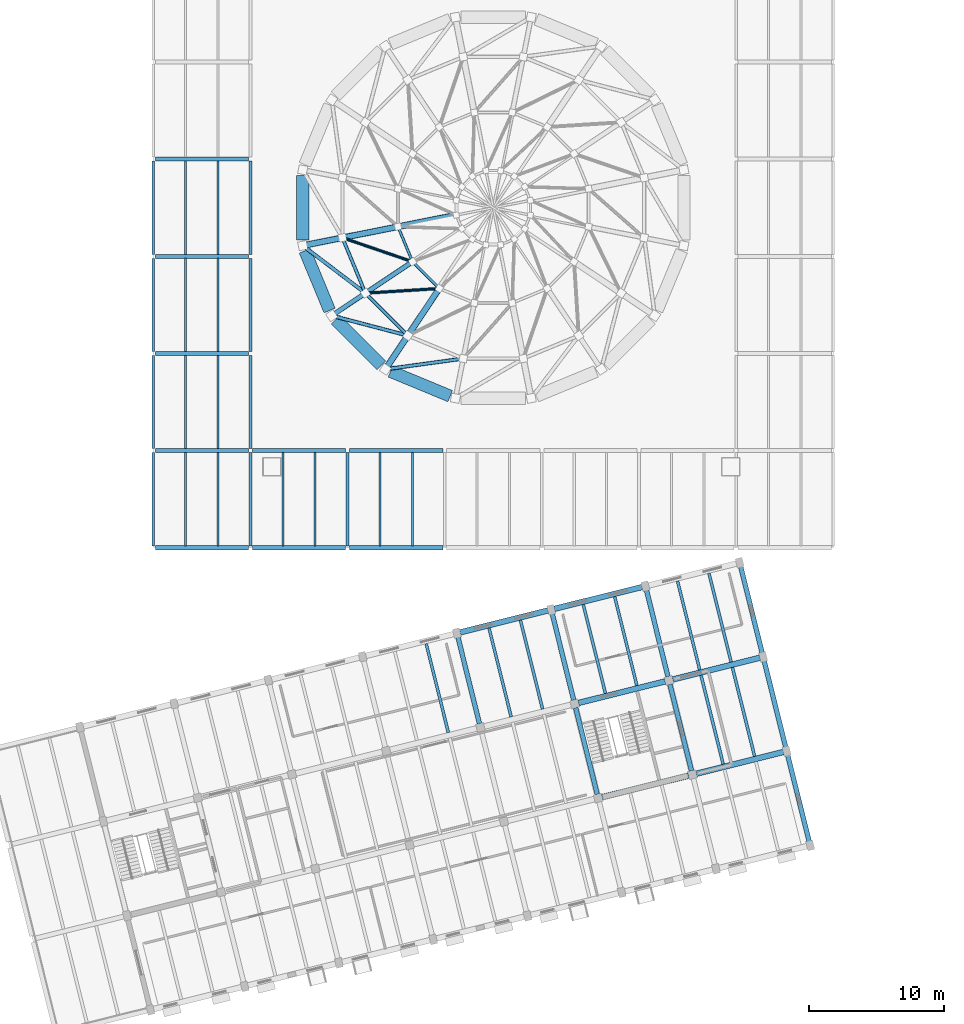
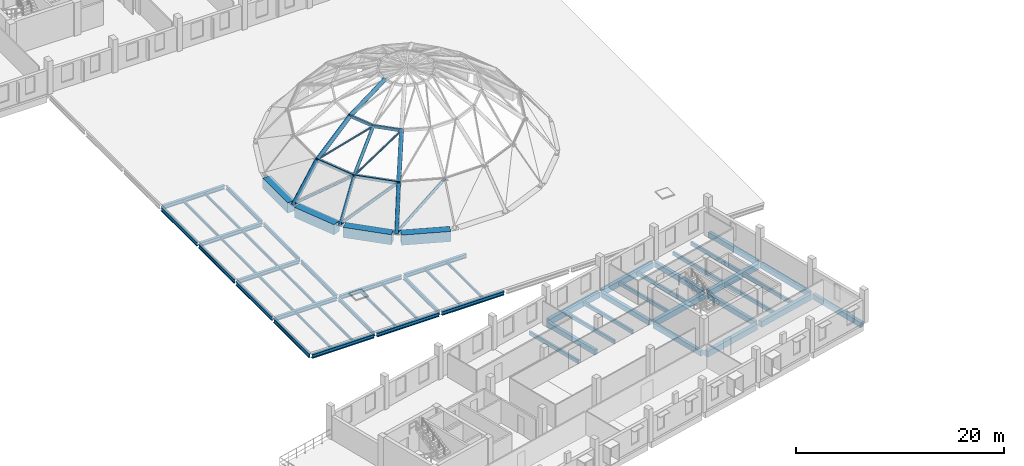
# One storey, part 6 of 32: 61 beams, 12 members.
"""IFC4 building model written with IfcOpenShell, lengths in metres."""

from ifc_helpers import new_model, si_unit, direction, frame, origin, origin_2d, place, context, subcontext, project, spatial, rectangle, hollow_rectangle, hollow_circle, i_section, extrude, material, material_profile, profile_set, type_object, element, save


model = new_model("IFC4")

# Units and contexts
model_context = context("Model", 3, precision=1e-05, world=origin(), true_north=direction((0.0, 1.0)))
body_context = subcontext(model_context, "Body", "Model", "MODEL_VIEW")
ifc_project = project(units=[si_unit("LENGTHUNIT", "METRE"), si_unit("AREAUNIT", "SQUARE_METRE"), si_unit("VOLUMEUNIT", "CUBIC_METRE"), si_unit("PLANEANGLEUNIT", "RADIAN"), si_unit("MASSUNIT", "GRAM", prefix="KILO")], contexts=[model_context])

# Site, building, storey
site_placement = place(None, origin())
site = spatial("IfcSite", under=ifc_project, at=site_placement, CompositionType="ELEMENT")
building_placement = place(site_placement, origin())
building = spatial("IfcBuilding", under=site, at=building_placement, Name="Qiaolan Assembly House", CompositionType="ELEMENT")
storey_placement = place(building_placement, frame((0.0, 0.0, 18.60009765625)))
storey = spatial("IfcBuildingStorey", under=building, at=storey_placement, Name="L04", CompositionType="ELEMENT", Elevation=18.60009765625)

# Beams
ifc_material_1 = material(Name="Steel Q355B", Category="steel")
ifc_material_profile_1 = material_profile(ifc_material_1, hollow_rectangle(XDim=0.199951171875, YDim=0.35009765625, WallThickness=0.010009765625, InnerFilletRadius=0.010009765625, OuterFilletRadius=0.02001953125, at=origin_2d()), Name="RHS 350x200x10")
ifc_profile_set_1 = profile_set([ifc_material_profile_1], Name="Steel Q355B")
beam_type_1 = type_object("IfcBeamType", Name="BM-DOME-RING-RHS350", PredefinedType="BEAM", material=ifc_profile_set_1)
for number, where, z_axis, x_axis, name in (
    (1, (61.3076171875, 59.869140625, 7.0), (0.382746343014, -0.923853471558, 0.0), (0.923853471558, 0.382746343014, 0.0), "DB-02 dome circumferential steel ring T2-9"),
    (2, (62.35693359375, 57.25634765625, 7.0), (0.707106781187, -0.707106781187, 0.0), (0.707106781187, 0.707106781187, 0.0), "DB-02 dome circumferential steel ring T2-10"),
):
    element("IfcBeam", number, at=place(storey_placement, frame(where, z_axis=z_axis, x_axis=x_axis)), inside=storey, type_object=beam_type_1, Name=name, PredefinedType="BEAM", context=body_context, shape_type="SweptSolid", body=[
        extrude(hollow_rectangle(XDim=0.199951171875, YDim=0.35009765625, WallThickness=0.010009765625, InnerFilletRadius=0.010009765625, OuterFilletRadius=0.02001953125, at=origin_2d()), origin(), (0.0, 0.0, 1.0), 2.96923828125),
    ])
ifc_material_profile_2 = material_profile(ifc_material_1, hollow_rectangle(XDim=0.25, YDim=0.39990234375, WallThickness=0.011962890625, InnerFilletRadius=0.011962890625, OuterFilletRadius=0.02392578125, at=origin_2d()), Name="RHS 400x250x12")
ifc_profile_set_2 = profile_set([ifc_material_profile_2], Name="Steel Q355B")
beam_type_2 = type_object("IfcBeamType", Name="BM-DOME-RING-RHS400", PredefinedType="BEAM", material=ifc_profile_set_2)
beam_1_placement = place(storey_placement, frame((57.1884765625, 59.0498046875, 3.7998046875), z_axis=(0.382680895379, -0.923880583361, 0.0), x_axis=(0.923880583361, 0.382680895379, 0.0)))
element("IfcBeam", 3, at=beam_1_placement, inside=storey, type_object=beam_type_2, Name="DB-01 dome circumferential steel ring T1-9", PredefinedType="BEAM", context=body_context, shape_type="SweptSolid", body=[
    extrude(hollow_rectangle(XDim=0.25, YDim=0.39990234375, WallThickness=0.011962890625, InnerFilletRadius=0.011962890625, OuterFilletRadius=0.02392578125, at=origin_2d()), origin(), (0.0, 0.0, 1.0), 4.608154296875),
])
beam_2_placement = place(storey_placement, frame((58.86474609375, 54.923095703125, 3.7998046875), z_axis=(0.707106781187, -0.707106781187, 0.0), x_axis=(0.707106781187, 0.707106781187, 0.0)))
element("IfcBeam", 4, at=beam_2_placement, inside=storey, type_object=beam_type_2, Name="DB-01 dome circumferential steel ring T1-10", PredefinedType="BEAM", context=body_context, shape_type="SweptSolid", body=[
    extrude(hollow_rectangle(XDim=0.25, YDim=0.39990234375, WallThickness=0.011962890625, InnerFilletRadius=0.011962890625, OuterFilletRadius=0.02392578125, at=origin_2d()), origin(), (0.0, 0.0, 1.0), 4.60791015625),
])
ifc_material_2 = material(Name="Concrete C40/50", Category="concrete")
ifc_material_profile_3 = material_profile(ifc_material_2, rectangle(XDim=0.35009765625, YDim=0.60009765625, at=origin_2d()), Name="RCB 350x600")
ifc_profile_set_3 = profile_set([ifc_material_profile_3], Name="Concrete C40/50")
beam_type_3 = type_object("IfcBeamType", Name="BM-RC-350x600", PredefinedType="BEAM", material=ifc_profile_set_3)
beam_3_placement = place(storey_placement, frame((67.376708984375, 22.962890625, -0.51513671875), z_axis=(-0.24190686988, 0.970299472485, 0.0), x_axis=(-0.970299472485, -0.24190686988, 0.0)))
element("IfcBeam", 5, at=beam_3_placement, inside=storey, type_object=beam_type_3, Name="GB-08 beam BMV-SE-L04-04-02", PredefinedType="BEAM", context=body_context, shape_type="SweptSolid", body=[
    extrude(rectangle(XDim=0.35009765625, YDim=0.60009765625, at=origin_2d()), origin(), (0.0, 0.0, 1.0), 6.669921875),
])
beam_4_placement = place(storey_placement, frame((76.104736328125, 17.718505859375, -0.51513671875), z_axis=(-0.241928153868, 0.970294165893, 0.0), x_axis=(-0.970294165893, -0.241928153868, 0.0)))
element("IfcBeam", 6, at=beam_4_placement, inside=storey, type_object=beam_type_3, Name="GB-08 beam BMV-SE-L04-05-01", PredefinedType="BEAM", context=body_context, shape_type="SweptSolid", body=[
    extrude(rectangle(XDim=0.35009765625, YDim=0.60009765625, at=origin_2d()), origin(), (0.0, 0.0, 1.0), 6.619873046875),
])
beam_5_placement = place(storey_placement, frame((74.363037109375, 24.70458984375, -0.51513671875), z_axis=(-0.241941330118, 0.9702908805, 0.0), x_axis=(-0.9702908805, -0.241941330118, 0.0)))
element("IfcBeam", 7, at=beam_5_placement, inside=storey, type_object=beam_type_3, Name="GB-08 beam BMV-SE-L04-05-02", PredefinedType="BEAM", context=body_context, shape_type="SweptSolid", body=[
    extrude(rectangle(XDim=0.35009765625, YDim=0.60009765625, at=origin_2d()), origin(), (0.0, 0.0, 1.0), 6.670166015625),
])
beam_6_placement = place(storey_placement, frame((83.0908203125, 19.46044921875, -0.51513671875), z_axis=(-0.241893432628, 0.970302822448, 0.0), x_axis=(-0.970302822448, -0.241893432628, 0.0)))
element("IfcBeam", 8, at=beam_6_placement, inside=storey, type_object=beam_type_3, Name="GB-08 beam BMV-SE-L04-06-01", PredefinedType="BEAM", context=body_context, shape_type="SweptSolid", body=[
    extrude(rectangle(XDim=0.35009765625, YDim=0.60009765625, at=origin_2d()), origin(), (0.0, 0.0, 1.0), 6.619873046875),
])
beam_7_placement = place(storey_placement, frame((81.34912109375, 26.446533203125, -0.51513671875), z_axis=(-0.241941330118, 0.9702908805, 0.0), x_axis=(-0.9702908805, -0.241941330118, 0.0)))
element("IfcBeam", 9, at=beam_7_placement, inside=storey, type_object=beam_type_3, Name="GB-08 beam BMV-SE-L04-06-02", PredefinedType="BEAM", context=body_context, shape_type="SweptSolid", body=[
    extrude(rectangle(XDim=0.35009765625, YDim=0.60009765625, at=origin_2d()), origin(), (0.0, 0.0, 1.0), 6.670166015625),
])
beam_8_placement = place(storey_placement, frame((91.8310546875, 14.16748046875, -0.51513671875), z_axis=(-0.241920106756, 0.970296172283, 0.0), x_axis=(-0.970296172283, -0.241920106756, 0.0)))
element("IfcBeam", 10, at=beam_8_placement, inside=storey, type_object=beam_type_3, Name="GB-08 beam BMV-SE-L04-07-00", PredefinedType="BEAM", context=body_context, shape_type="SweptSolid", body=[
    extrude(rectangle(XDim=0.35009765625, YDim=0.60009765625, at=origin_2d()), origin(), (0.0, 0.0, 1.0), 6.72021484375),
])
for number, where, z_axis, x_axis, name in (
    (11, (90.089111328125, 21.15380859375, -0.51513671875), (-0.241928634891, 0.970294045957, 0.0), (-0.970294045957, -0.241928634891, 0.0), "GB-08 beam BMV-SE-L04-07-01"),
    (12, (88.347412109375, 28.139892578125, -0.51513671875), (-0.241928634891, 0.970294045957, 0.0), (-0.970294045957, -0.241928634891, 0.0), "GB-08 beam BMV-SE-L04-07-02"),
):
    element("IfcBeam", number, at=place(storey_placement, frame(where, z_axis=z_axis, x_axis=x_axis)), inside=storey, type_object=beam_type_3, Name=name, PredefinedType="BEAM", context=body_context, shape_type="SweptSolid", body=[
        extrude(rectangle(XDim=0.35009765625, YDim=0.60009765625, at=origin_2d()), origin(), (0.0, 0.0, 1.0), 6.719970703125),
    ])
ifc_material_profile_4 = material_profile(ifc_material_2, rectangle(XDim=0.419921875, YDim=0.679931640625, at=origin_2d()), Name="RCB 420x680")
ifc_profile_set_4 = profile_set([ifc_material_profile_4], Name="Concrete C40/50")
beam_type_4 = type_object("IfcBeamType", Name="BM-RC-420x680", PredefinedType="BEAM", material=ifc_profile_set_4)
beam_9_placement = place(storey_placement, frame((76.456298828125, 17.50732421875, -0.55517578125), z_axis=(0.970294165893, 0.241928153868, 0.0), x_axis=(-0.241928153868, 0.970294165893, 0.0)))
element("IfcBeam", 13, at=beam_9_placement, inside=storey, type_object=beam_type_4, Name="GB-12 beam BMU-SE-L04-05-01", PredefinedType="BEAM", context=body_context, shape_type="SweptSolid", body=[
    extrude(rectangle(XDim=0.419921875, YDim=0.679931640625, at=origin_2d()), origin(), (0.0, 0.0, 1.0), 6.619873046875),
])
beam_10_placement = place(storey_placement, frame((83.4423828125, 19.249267578125, -0.55517578125), z_axis=(0.970299472485, 0.24190686988, 0.0), x_axis=(-0.24190686988, 0.970299472485, 0.0)))
element("IfcBeam", 14, at=beam_10_placement, inside=storey, type_object=beam_type_4, Name="GB-12 beam BMU-SE-L04-06-01", PredefinedType="BEAM", context=body_context, shape_type="SweptSolid", body=[
    extrude(rectangle(XDim=0.419921875, YDim=0.679931640625, at=origin_2d()), origin(), (0.0, 0.0, 1.0), 6.669921875),
])
beam_11_placement = place(storey_placement, frame((74.714599609375, 24.493408203125, -0.55517578125), z_axis=(0.970294165893, 0.241928153868, 0.0), x_axis=(-0.241928153868, 0.970294165893, 0.0)))
element("IfcBeam", 15, at=beam_11_placement, inside=storey, type_object=beam_type_4, Name="GB-12 beam BMU-SE-L04-05-02", PredefinedType="BEAM", context=body_context, shape_type="SweptSolid", body=[
    extrude(rectangle(XDim=0.419921875, YDim=0.679931640625, at=origin_2d()), origin(), (0.0, 0.0, 1.0), 6.619873046875),
])
beam_12_placement = place(storey_placement, frame((81.70068359375, 26.2353515625, -0.55517578125), z_axis=(0.970299472485, 0.24190686988, 0.0), x_axis=(-0.24190686988, 0.970299472485, 0.0)))
element("IfcBeam", 16, at=beam_12_placement, inside=storey, type_object=beam_type_4, Name="GB-12 beam BMU-SE-L04-06-02", PredefinedType="BEAM", context=body_context, shape_type="SweptSolid", body=[
    extrude(rectangle(XDim=0.419921875, YDim=0.679931640625, at=origin_2d()), origin(), (0.0, 0.0, 1.0), 6.669921875),
])
for number, where, z_axis, x_axis, name in (
    (17, (65.93798828125, 29.7255859375, -0.55517578125), (0.970296172283, 0.241920106756, 0.0), (-0.241920106756, 0.970296172283, 0.0), "GB-12 beam BMU-SE-L04-04-03"),
    (18, (72.924072265625, 31.467529296875, -0.55517578125), (0.970296172283, 0.241920106756, 0.0), (-0.241920106756, 0.970296172283, 0.0), "GB-12 beam BMU-SE-L04-05-03"),
):
    element("IfcBeam", number, at=place(storey_placement, frame(where, z_axis=z_axis, x_axis=x_axis)), inside=storey, type_object=beam_type_4, Name=name, PredefinedType="BEAM", context=body_context, shape_type="SweptSolid", body=[
        extrude(rectangle(XDim=0.419921875, YDim=0.679931640625, at=origin_2d()), origin(), (0.0, 0.0, 1.0), 6.72021484375),
    ])
ifc_material_3 = material(Name="Concrete C50/60", Category="concrete")
ifc_material_profile_5 = material_profile(ifc_material_3, rectangle(XDim=0.89990234375, YDim=1.199951171875, at=origin_2d()), Name="RCB 900x1200")
ifc_profile_set_5 = profile_set([ifc_material_profile_5], Name="Concrete C50/60")
beam_type_5 = type_object("IfcBeamType", Name="BM-RING-900x1200", PredefinedType="BEAM", material=ifc_profile_set_5)
for number, where, z_axis, x_axis, name in (
    (19, (54.276611328125, 63.59423828125, -0.60009765625), (0.0, -1.0, 0.0), (1.0, 0.0, 0.0), "RB-01 beam BM-DOME-THRUST-RING-07"),
    (20, (54.435546875, 58.00732421875, -0.60009765625), (0.38268500057, -0.923878882938, 0.0), (0.923878882938, 0.38268500057, 0.0), "RB-01 beam BM-DOME-THRUST-RING-08"),
    (21, (56.72021484375, 52.90625, -0.60009765625), (0.707132272157, -0.707081289297, 0.0), (0.707081289297, 0.707132272157, 0.0), "RB-01 beam BM-DOME-THRUST-RING-09"),
    (22, (60.783203125, 49.068115234375, -0.60009765625), (0.923878882938, -0.38268500057, 0.0), (0.38268500057, 0.923878882938, 0.0), "RB-01 beam BM-DOME-THRUST-RING-10"),
):
    element("IfcBeam", number, at=place(storey_placement, frame(where, z_axis=z_axis, x_axis=x_axis)), inside=storey, type_object=beam_type_5, Name=name, PredefinedType="BEAM", context=body_context, shape_type="SweptSolid", body=[
        extrude(rectangle(XDim=0.89990234375, YDim=1.199951171875, at=origin_2d()), origin(), (0.0, 0.0, 1.0), 4.78857421875),
    ])
ifc_material_profile_6 = material_profile(ifc_material_1, i_section(OverallWidth=0.300048828125, OverallDepth=0.43994140625, WebThickness=0.010986328125, FlangeThickness=0.01806640625, FilletRadius=0.02001953125, at=origin_2d()), Name="HM 440x300x11x18")
ifc_profile_set_6 = profile_set([ifc_material_profile_6], Name="Steel Q355B")
beam_type_6 = type_object("IfcBeamType", Name="BM-STL-HM440", PredefinedType="BEAM", material=ifc_profile_set_6)
beam_13_placement = place(storey_placement, frame((43.344970703125, 36.0, -0.465087890625), z_axis=(1.0, 0.0, 0.0), x_axis=(0.0, 1.0, 0.0)))
element("IfcBeam", 23, at=beam_13_placement, inside=storey, type_object=beam_type_6, Name="SB-06 beam BMX-HLCR-L04-00-00", PredefinedType="BEAM", context=body_context, shape_type="SweptSolid", body=[
    extrude(i_section(OverallWidth=0.300048828125, OverallDepth=0.43994140625, WebThickness=0.010986328125, FlangeThickness=0.01806640625, FilletRadius=0.02001953125, at=origin_2d()), origin(), (0.0, 0.0, 1.0), 6.909912109375),
])
beam_14_placement = place(storey_placement, frame((50.544921875, 36.0, -0.465087890625), z_axis=(1.0, 0.0, 0.0), x_axis=(0.0, 1.0, 0.0)))
element("IfcBeam", 24, at=beam_14_placement, inside=storey, type_object=beam_type_6, Name="SB-06 beam BMX-HLCR-L04-01-00", PredefinedType="BEAM", context=body_context, shape_type="SweptSolid", body=[
    extrude(i_section(OverallWidth=0.300048828125, OverallDepth=0.43994140625, WebThickness=0.010986328125, FlangeThickness=0.01806640625, FilletRadius=0.02001953125, at=origin_2d()), origin(), (0.0, 0.0, 1.0), 6.91015625),
])
for number, where, z_axis, x_axis, name in (
    (25, (57.7451171875, 36.0, -0.465087890625), (1.0, 0.0, 0.0), (0.0, 1.0, 0.0), "SB-06 beam BMX-HLCR-L04-02-00"),
    (26, (43.344970703125, 43.199951171875, -0.465087890625), (1.0, 0.0, 0.0), (0.0, 1.0, 0.0), "SB-06 beam BMX-HLCR-L04-00-01"),
):
    element("IfcBeam", number, at=place(storey_placement, frame(where, z_axis=z_axis, x_axis=x_axis)), inside=storey, type_object=beam_type_6, Name=name, PredefinedType="BEAM", context=body_context, shape_type="SweptSolid", body=[
        extrude(i_section(OverallWidth=0.300048828125, OverallDepth=0.43994140625, WebThickness=0.010986328125, FlangeThickness=0.01806640625, FilletRadius=0.02001953125, at=origin_2d()), origin(), (0.0, 0.0, 1.0), 6.909912109375),
    ])
beam_15_placement = place(storey_placement, frame((50.544921875, 43.199951171875, -0.465087890625), z_axis=(1.0, 0.0, 0.0), x_axis=(0.0, 1.0, 0.0)))
element("IfcBeam", 27, at=beam_15_placement, inside=storey, type_object=beam_type_6, Name="SB-06 beam BMX-HLCR-L04-01-01", PredefinedType="BEAM", context=body_context, shape_type="SweptSolid", body=[
    extrude(i_section(OverallWidth=0.300048828125, OverallDepth=0.43994140625, WebThickness=0.010986328125, FlangeThickness=0.01806640625, FilletRadius=0.02001953125, at=origin_2d()), origin(), (0.0, 0.0, 1.0), 6.91015625),
])
for number, where, z_axis, x_axis, name in (
    (28, (57.7451171875, 43.199951171875, -0.465087890625), (1.0, 0.0, 0.0), (0.0, 1.0, 0.0), "SB-06 beam BMX-HLCR-L04-02-01"),
    (29, (43.344970703125, 50.39990234375, -0.465087890625), (1.0, 0.0, 0.0), (0.0, 1.0, 0.0), "SB-06 beam BMX-HLCR-L04-00-02"),
    (30, (43.344970703125, 57.60009765625, -0.465087890625), (1.0, 0.0, 0.0), (0.0, 1.0, 0.0), "SB-06 beam BMX-HLCR-L04-00-03"),
    (31, (43.344970703125, 64.800048828125, -0.465087890625), (1.0, 0.0, 0.0), (0.0, 1.0, 0.0), "SB-06 beam BMX-HLCR-L04-00-04"),
):
    element("IfcBeam", number, at=place(storey_placement, frame(where, z_axis=z_axis, x_axis=x_axis)), inside=storey, type_object=beam_type_6, Name=name, PredefinedType="BEAM", context=body_context, shape_type="SweptSolid", body=[
        extrude(i_section(OverallWidth=0.300048828125, OverallDepth=0.43994140625, WebThickness=0.010986328125, FlangeThickness=0.01806640625, FilletRadius=0.02001953125, at=origin_2d()), origin(), (0.0, 0.0, 1.0), 6.909912109375),
    ])
ifc_material_profile_7 = material_profile(ifc_material_1, i_section(OverallWidth=0.199951171875, OverallDepth=0.449951171875, WebThickness=0.009033203125, FlangeThickness=0.013916015625, FilletRadius=0.01611328125, at=origin_2d()), Name="HN 450x200x9x14")
ifc_profile_set_7 = profile_set([ifc_material_profile_7], Name="Steel Q355B")
beam_type_7 = type_object("IfcBeamType", Name="BM-STL-HN450", PredefinedType="BEAM", material=ifc_profile_set_7)
for number, where, z_axis, x_axis, name in (
    (32, (43.199951171875, 36.14501953125, -0.47021484375), (0.0, 1.0, 0.0), (-1.0, 0.0, 0.0), "SB-07 beam BMY-HLCR-L04-00-00"),
    (33, (43.199951171875, 43.344970703125, -0.47021484375), (0.0, 1.0, 0.0), (-1.0, 0.0, 0.0), "SB-07 beam BMY-HLCR-L04-00-01"),
):
    element("IfcBeam", number, at=place(storey_placement, frame(where, z_axis=z_axis, x_axis=x_axis)), inside=storey, type_object=beam_type_7, Name=name, PredefinedType="BEAM", context=body_context, shape_type="SweptSolid", body=[
        extrude(i_section(OverallWidth=0.199951171875, OverallDepth=0.449951171875, WebThickness=0.009033203125, FlangeThickness=0.013916015625, FilletRadius=0.01611328125, at=origin_2d()), origin(), (0.0, 0.0, 1.0), 6.909912109375),
    ])
beam_16_placement = place(storey_placement, frame((43.199951171875, 50.544921875, -0.47021484375), z_axis=(0.0, 1.0, 0.0), x_axis=(-1.0, 0.0, 0.0)))
element("IfcBeam", 34, at=beam_16_placement, inside=storey, type_object=beam_type_7, Name="SB-07 beam BMY-HLCR-L04-00-02", PredefinedType="BEAM", context=body_context, shape_type="SweptSolid", body=[
    extrude(i_section(OverallWidth=0.199951171875, OverallDepth=0.449951171875, WebThickness=0.009033203125, FlangeThickness=0.013916015625, FilletRadius=0.01611328125, at=origin_2d()), origin(), (0.0, 0.0, 1.0), 6.91015625),
])
for number, where, z_axis, x_axis, name in (
    (35, (43.199951171875, 57.7451171875, -0.47021484375), (0.0, 1.0, 0.0), (-1.0, 0.0, 0.0), "SB-07 beam BMY-HLCR-L04-00-03"),
    (36, (50.39990234375, 36.14501953125, -0.47021484375), (0.0, 1.0, 0.0), (-1.0, 0.0, 0.0), "SB-07 beam BMY-HLCR-L04-01-00"),
    (37, (50.39990234375, 43.344970703125, -0.47021484375), (0.0, 1.0, 0.0), (-1.0, 0.0, 0.0), "SB-07 beam BMY-HLCR-L04-01-01"),
):
    element("IfcBeam", number, at=place(storey_placement, frame(where, z_axis=z_axis, x_axis=x_axis)), inside=storey, type_object=beam_type_7, Name=name, PredefinedType="BEAM", context=body_context, shape_type="SweptSolid", body=[
        extrude(i_section(OverallWidth=0.199951171875, OverallDepth=0.449951171875, WebThickness=0.009033203125, FlangeThickness=0.013916015625, FilletRadius=0.01611328125, at=origin_2d()), origin(), (0.0, 0.0, 1.0), 6.909912109375),
    ])
beam_17_placement = place(storey_placement, frame((50.39990234375, 50.544921875, -0.47021484375), z_axis=(0.0, 1.0, 0.0), x_axis=(-1.0, 0.0, 0.0)))
element("IfcBeam", 38, at=beam_17_placement, inside=storey, type_object=beam_type_7, Name="SB-07 beam BMY-HLCR-L04-01-02", PredefinedType="BEAM", context=body_context, shape_type="SweptSolid", body=[
    extrude(i_section(OverallWidth=0.199951171875, OverallDepth=0.449951171875, WebThickness=0.009033203125, FlangeThickness=0.013916015625, FilletRadius=0.01611328125, at=origin_2d()), origin(), (0.0, 0.0, 1.0), 6.91015625),
])
for number, where, z_axis, x_axis, name in (
    (39, (50.39990234375, 57.7451171875, -0.47021484375), (0.0, 1.0, 0.0), (-1.0, 0.0, 0.0), "SB-07 beam BMY-HLCR-L04-01-03"),
    (40, (57.60009765625, 36.14501953125, -0.47021484375), (0.0, 1.0, 0.0), (-1.0, 0.0, 0.0), "SB-07 beam BMY-HLCR-L04-02-00"),
):
    element("IfcBeam", number, at=place(storey_placement, frame(where, z_axis=z_axis, x_axis=x_axis)), inside=storey, type_object=beam_type_7, Name=name, PredefinedType="BEAM", context=body_context, shape_type="SweptSolid", body=[
        extrude(i_section(OverallWidth=0.199951171875, OverallDepth=0.449951171875, WebThickness=0.009033203125, FlangeThickness=0.013916015625, FilletRadius=0.01611328125, at=origin_2d()), origin(), (0.0, 0.0, 1.0), 6.909912109375),
    ])
ifc_material_profile_8 = material_profile(ifc_material_2, rectangle(XDim=0.219970703125, YDim=0.419921875, at=origin_2d()), Name="RCB 220x420")
ifc_profile_set_8 = profile_set([ifc_material_profile_8], Name="Concrete C40/50")
beam_type_8 = type_object("IfcBeamType", Name="JST-RC-220x420", PredefinedType="JOIST", material=ifc_profile_set_8)
beam_18_placement = place(storey_placement, frame((65.06884765625, 22.298828125, -0.425048828125), z_axis=(-0.241918146508, 0.970296661022, 0.0), x_axis=(-0.970296661022, -0.241918146508, 0.0)))
element("IfcBeam", 41, at=beam_18_placement, inside=storey, type_object=beam_type_8, Name="RJ-03 beam JST-SE-L04-03-02-2", PredefinedType="JOIST", context=body_context, shape_type="SweptSolid", body=[
    extrude(rectangle(XDim=0.219970703125, YDim=0.419921875, at=origin_2d()), origin(), (0.0, 0.0, 1.0), 6.791748046875),
])
for number, where, z_axis, x_axis, name in (
    (42, (69.726318359375, 23.4599609375, -0.425048828125), (-0.241909709048, 0.970298764643, 0.0), (-0.970298764643, -0.241909709048, 0.0), "RJ-03 beam JST-SE-L04-04-02-1"),
    (43, (72.054931640625, 24.04052734375, -0.425048828125), (-0.241909709048, 0.970298764643, 0.0), (-0.970298764643, -0.241909709048, 0.0), "RJ-03 beam JST-SE-L04-04-02-2"),
):
    element("IfcBeam", number, at=place(storey_placement, frame(where, z_axis=z_axis, x_axis=x_axis)), inside=storey, type_object=beam_type_8, Name=name, PredefinedType="JOIST", context=body_context, shape_type="SweptSolid", body=[
        extrude(rectangle(XDim=0.219970703125, YDim=0.419921875, at=origin_2d()), origin(), (0.0, 0.0, 1.0), 6.7919921875),
    ])
beam_19_placement = place(storey_placement, frame((76.71240234375, 25.201904296875, -0.425048828125), z_axis=(-0.241918146508, 0.970296661022, 0.0), x_axis=(-0.970296661022, -0.241918146508, 0.0)))
element("IfcBeam", 44, at=beam_19_placement, inside=storey, type_object=beam_type_8, Name="RJ-03 beam JST-SE-L04-05-02-1", PredefinedType="JOIST", context=body_context, shape_type="SweptSolid", body=[
    extrude(rectangle(XDim=0.219970703125, YDim=0.419921875, at=origin_2d()), origin(), (0.0, 0.0, 1.0), 6.791748046875),
])
beam_20_placement = place(storey_placement, frame((79.041259765625, 25.782470703125, -0.425048828125), z_axis=(-0.241943550075, 0.970290326952, 0.0), x_axis=(-0.970290326952, -0.241943550075, 0.0)))
element("IfcBeam", 45, at=beam_20_placement, inside=storey, type_object=beam_type_8, Name="RJ-03 beam JST-SE-L04-05-02-2", PredefinedType="JOIST", context=body_context, shape_type="SweptSolid", body=[
    extrude(rectangle(XDim=0.219970703125, YDim=0.419921875, at=origin_2d()), origin(), (0.0, 0.0, 1.0), 6.792236328125),
])
for number, where, z_axis, x_axis, name in (
    (46, (85.4404296875, 19.95751953125, -0.425048828125), (-0.241909709048, 0.970298764643, 0.0), (-0.970298764643, -0.241909709048, 0.0), "RJ-03 beam JST-SE-L04-06-01-1"),
    (47, (87.76904296875, 20.5380859375, -0.425048828125), (-0.241909709048, 0.970298764643, 0.0), (-0.970298764643, -0.241909709048, 0.0), "RJ-03 beam JST-SE-L04-06-01-2"),
    (48, (83.698486328125, 26.943603515625, -0.425048828125), (-0.241909709048, 0.970298764643, 0.0), (-0.970298764643, -0.241909709048, 0.0), "RJ-03 beam JST-SE-L04-06-02-1"),
    (49, (86.02734375, 27.524169921875, -0.425048828125), (-0.241909709048, 0.970298764643, 0.0), (-0.970298764643, -0.241909709048, 0.0), "RJ-03 beam JST-SE-L04-06-02-2"),
):
    element("IfcBeam", number, at=place(storey_placement, frame(where, z_axis=z_axis, x_axis=x_axis)), inside=storey, type_object=beam_type_8, Name=name, PredefinedType="JOIST", context=body_context, shape_type="SweptSolid", body=[
        extrude(rectangle(XDim=0.219970703125, YDim=0.419921875, at=origin_2d()), origin(), (0.0, 0.0, 1.0), 6.7919921875),
    ])
ifc_material_profile_9 = material_profile(ifc_material_1, i_section(OverallWidth=0.14990234375, OverallDepth=0.300048828125, WebThickness=0.006591796875, FlangeThickness=0.009033203125, FilletRadius=0.012939453125, at=origin_2d()), Name="HN 300x150x6.5x9")
ifc_profile_set_9 = profile_set([ifc_material_profile_9], Name="Steel Q355B")
beam_type_9 = type_object("IfcBeamType", Name="JST-STL-HN300", PredefinedType="JOIST", material=ifc_profile_set_9)
for number, where, z_axis, x_axis, name in (
    (50, (45.60009765625, 36.14404296875, -0.39501953125), (0.0, 1.0, 0.0), (-1.0, 0.0, 0.0), "SJ-02 beam JST-HLCR-L04-00-00-1"),
    (51, (48.0, 36.14404296875, -0.39501953125), (0.0, 1.0, 0.0), (-1.0, 0.0, 0.0), "SJ-02 beam JST-HLCR-L04-00-00-2"),
):
    element("IfcBeam", number, at=place(storey_placement, frame(where, z_axis=z_axis, x_axis=x_axis)), inside=storey, type_object=beam_type_9, Name=name, PredefinedType="JOIST", context=body_context, shape_type="SweptSolid", body=[
        extrude(i_section(OverallWidth=0.14990234375, OverallDepth=0.300048828125, WebThickness=0.006591796875, FlangeThickness=0.009033203125, FilletRadius=0.012939453125, at=origin_2d()), origin(), (0.0, 0.0, 1.0), 6.911865234375),
    ])
for number, where, z_axis, x_axis, name in (
    (52, (45.60009765625, 43.343994140625, -0.39501953125), (0.0, 1.0, 0.0), (-1.0, 0.0, 0.0), "SJ-02 beam JST-HLCR-L04-00-01-1"),
    (53, (48.0, 43.343994140625, -0.39501953125), (0.0, 1.0, 0.0), (-1.0, 0.0, 0.0), "SJ-02 beam JST-HLCR-L04-00-01-2"),
    (54, (45.60009765625, 50.5439453125, -0.39501953125), (0.0, 1.0, 0.0), (-1.0, 0.0, 0.0), "SJ-02 beam JST-HLCR-L04-00-02-1"),
    (55, (48.0, 50.5439453125, -0.39501953125), (0.0, 1.0, 0.0), (-1.0, 0.0, 0.0), "SJ-02 beam JST-HLCR-L04-00-02-2"),
    (56, (45.60009765625, 57.743896484375, -0.39501953125), (0.0, 1.0, 0.0), (-1.0, 0.0, 0.0), "SJ-02 beam JST-HLCR-L04-00-03-1"),
    (57, (48.0, 57.743896484375, -0.39501953125), (0.0, 1.0, 0.0), (-1.0, 0.0, 0.0), "SJ-02 beam JST-HLCR-L04-00-03-2"),
):
    element("IfcBeam", number, at=place(storey_placement, frame(where, z_axis=z_axis, x_axis=x_axis)), inside=storey, type_object=beam_type_9, Name=name, PredefinedType="JOIST", context=body_context, shape_type="SweptSolid", body=[
        extrude(i_section(OverallWidth=0.14990234375, OverallDepth=0.300048828125, WebThickness=0.006591796875, FlangeThickness=0.009033203125, FilletRadius=0.012939453125, at=origin_2d()), origin(), (0.0, 0.0, 1.0), 6.912109375),
    ])
for number, where, z_axis, x_axis, name in (
    (58, (52.800048828125, 36.14404296875, -0.39501953125), (0.0, 1.0, 0.0), (-1.0, 0.0, 0.0), "SJ-02 beam JST-HLCR-L04-01-00-1"),
    (59, (55.199951171875, 36.14404296875, -0.39501953125), (0.0, 1.0, 0.0), (-1.0, 0.0, 0.0), "SJ-02 beam JST-HLCR-L04-01-00-2"),
    (60, (60.0, 36.14404296875, -0.39501953125), (0.0, 1.0, 0.0), (-1.0, 0.0, 0.0), "SJ-02 beam JST-HLCR-L04-02-00-1"),
    (61, (62.39990234375, 36.14404296875, -0.39501953125), (0.0, 1.0, 0.0), (-1.0, 0.0, 0.0), "SJ-02 beam JST-HLCR-L04-02-00-2"),
):
    element("IfcBeam", number, at=place(storey_placement, frame(where, z_axis=z_axis, x_axis=x_axis)), inside=storey, type_object=beam_type_9, Name=name, PredefinedType="JOIST", context=body_context, shape_type="SweptSolid", body=[
        extrude(i_section(OverallWidth=0.14990234375, OverallDepth=0.300048828125, WebThickness=0.006591796875, FlangeThickness=0.009033203125, FilletRadius=0.012939453125, at=origin_2d()), origin(), (0.0, 0.0, 1.0), 6.911865234375),
    ])

# Members
ifc_material_profile_10 = material_profile(ifc_material_1, hollow_circle(Radius=0.109619140625, WallThickness=0.008056640625, at=origin_2d()), Name="CHS 219.1x8")
ifc_profile_set_10 = profile_set([ifc_material_profile_10], Name="Steel Q355B")
member_type_1 = type_object("IfcMemberType", Name="MBR-BRACE-DOME-CHS219", PredefinedType="BRACE", material=ifc_profile_set_10)
member_1_placement = place(storey_placement, frame((57.153564453125, 58.998291015625, 3.759521484375), z_axis=(0.817459379871, -0.279507246244, 0.503622737333), x_axis=(0.323532332974, 0.946217115424, 0.0)))
element("IfcMember", 62, at=member_1_placement, inside=storey, type_object=member_type_1, Name="BR-02 dome wind-uplift brace T1-9", PredefinedType="BRACE", context=body_context, shape_type="SweptSolid", body=[
    extrude(hollow_circle(Radius=0.109619140625, WallThickness=0.008056640625, at=origin_2d()), origin(), (0.0, 0.0, 1.0), 6.514404296875),
])
member_2_placement = place(storey_placement, frame((58.852294921875, 54.862060546875, 3.759521484375), z_axis=(0.862189563476, 0.054605963659, 0.503634138404), x_axis=(-0.063207415799, 0.998000412118, 0.0)))
element("IfcMember", 63, at=member_2_placement, inside=storey, type_object=member_type_1, Name="BR-02 dome wind-uplift brace T1-10", PredefinedType="BRACE", context=body_context, shape_type="SweptSolid", body=[
    extrude(hollow_circle(Radius=0.109619140625, WallThickness=0.008056640625, at=origin_2d()), origin(), (0.0, 0.0, 1.0), 6.51416015625),
])
ifc_material_profile_11 = material_profile(ifc_material_1, hollow_circle(Radius=0.136474609375, WallThickness=0.010009765625, at=origin_2d()), Name="CHS 273x10")
ifc_profile_set_11 = profile_set([ifc_material_profile_11], Name="Steel Q355B")
member_type_2 = type_object("IfcMemberType", Name="MBR-BRACE-DOME-CHS273", PredefinedType="BRACE", material=ifc_profile_set_11)
for number, where, z_axis, x_axis, name in (
    (64, (54.223388671875, 58.43115234375, -0.043701171875), (0.667387108338, -0.506413104611, 0.546022174552), (0.604476965473, 0.796622619697, 0.0), "BR-01 dome wind-uplift brace T0-9"),
    (65, (56.362060546875, 53.216796875, -0.043701171875), (0.810387768071, -0.212447726427, 0.546019806323), (0.253586487442, 0.967312717474, 0.0), "BR-01 dome wind-uplift brace T0-10"),
    (66, (60.33349609375, 49.2177734375, -0.043701171875), (0.830004196823, 0.113819936754, 0.546020196745), (-0.135860275911, 0.990728007795, 0.0), "BR-01 dome wind-uplift brace T0-11"),
):
    element("IfcMember", number, at=place(storey_placement, frame(where, z_axis=z_axis, x_axis=x_axis)), inside=storey, type_object=member_type_2, Name=name, PredefinedType="BRACE", context=body_context, shape_type="SweptSolid", body=[
        extrude(hollow_circle(Radius=0.136474609375, WallThickness=0.010009765625, at=origin_2d()), origin(), (0.0, 0.0, 1.0), 7.119140625),
    ])
ifc_material_profile_12 = material_profile(ifc_material_1, hollow_circle(Radius=0.177734375, WallThickness=0.011962890625, at=origin_2d()), Name="CHS 355.6x12")
ifc_profile_set_12 = profile_set([ifc_material_profile_12], Name="Steel Q355B")
member_type_3 = type_object("IfcMemberType", Name="MBR-DOME-RIB-CHS355", PredefinedType="CHORD", material=ifc_profile_set_12)
member_3_placement = place(storey_placement, frame((56.354736328125, 53.151611328125, -0.10986328125), z_axis=(0.515204533946, 0.344254451713, 0.784890540571), x_axis=(-0.555576690788, 0.831465297323, 0.0)))
element("IfcMember", 67, at=member_3_placement, inside=storey, type_object=member_type_3, Name="DR-02 secondary dome radial rib bay 5", PredefinedType="CHORD", context=body_context, shape_type="SweptSolid", body=[
    extrude(hollow_circle(Radius=0.177734375, WallThickness=0.011962890625, at=origin_2d()), origin(), (0.0, 0.0, 1.0), 5.081298828125),
])
member_4_placement = place(storey_placement, frame((58.855224609375, 54.822265625, 3.7392578125), z_axis=(0.661347776256, 0.441938022261, 0.60606097327), x_axis=(-0.555604621472, 0.831446633645, 0.0)))
element("IfcMember", 68, at=member_4_placement, inside=storey, type_object=member_type_3, Name="DR-02 secondary dome radial rib bay 5", PredefinedType="CHORD", context=body_context, shape_type="SweptSolid", body=[
    extrude(hollow_circle(Radius=0.177734375, WallThickness=0.011962890625, at=origin_2d()), origin(), (0.0, 0.0, 1.0), 5.480224609375),
])
ifc_material_profile_13 = material_profile(ifc_material_1, hollow_circle(Radius=0.228515625, WallThickness=0.01611328125, at=origin_2d()), Name="CHS 457x16")
ifc_profile_set_13 = profile_set([ifc_material_profile_13], Name="Steel Q355B")
member_type_4 = type_object("IfcMemberType", Name="MBR-DOME-RIB-CHS457", PredefinedType="CHORD", material=ifc_profile_set_13)
for number, where, z_axis, x_axis, name in (
    (69, (54.191650390625, 58.373779296875, -0.10986328125), (0.607737173659, 0.12088439631, 0.784883743291), (-0.195087149438, 0.980785911463, 0.0), "DR-01 primary dome radial rib bay 5"),
    (70, (60.3515625, 49.15478515625, -0.10986328125), (0.344254451713, 0.515204533946, 0.784890540571), (-0.831465297323, 0.555576690788, 0.0), "DR-01 primary dome radial rib bay 6"),
):
    element("IfcMember", number, at=place(storey_placement, frame(where, z_axis=z_axis, x_axis=x_axis)), inside=storey, type_object=member_type_4, Name=name, PredefinedType="CHORD", context=body_context, shape_type="SweptSolid", body=[
        extrude(hollow_circle(Radius=0.228515625, WallThickness=0.01611328125, at=origin_2d()), origin(), (0.0, 0.0, 1.0), 5.081298828125),
    ])
member_5_placement = place(storey_placement, frame((57.14111328125, 58.96044921875, 3.7392578125), z_axis=(0.780129469801, 0.155170518149, 0.606069402499), x_axis=(-0.195081999731, 0.980786935772, 0.0)))
element("IfcMember", 71, at=member_5_placement, inside=storey, type_object=member_type_4, Name="DR-01 primary dome radial rib bay 5", PredefinedType="CHORD", context=body_context, shape_type="SweptSolid", body=[
    extrude(hollow_circle(Radius=0.228515625, WallThickness=0.01611328125, at=origin_2d()), origin(), (0.0, 0.0, 1.0), 5.47998046875),
])
member_6_placement = place(storey_placement, frame((62.022216796875, 51.655029296875, 3.7392578125), z_axis=(0.441925001499, 0.661372839945, 0.606043116975), x_axis=(-0.831463922074, 0.555578748954, 0.0)))
element("IfcMember", 72, at=member_6_placement, inside=storey, type_object=member_type_4, Name="DR-01 primary dome radial rib bay 6", PredefinedType="CHORD", context=body_context, shape_type="SweptSolid", body=[
    extrude(hollow_circle(Radius=0.228515625, WallThickness=0.01611328125, at=origin_2d()), origin(), (0.0, 0.0, 1.0), 5.480224609375),
])
member_7_placement = place(storey_placement, frame((61.250732421875, 59.77783203125, 6.955078125), z_axis=(0.877224175345, 0.174500557659, 0.447244118538), x_axis=(-0.195100883647, 0.980783179505, 0.0)))
element("IfcMember", 73, at=member_7_placement, inside=storey, type_object=member_type_4, Name="DR-01 primary dome radial rib bay 5", PredefinedType="CHORD", context=body_context, shape_type="SweptSolid", body=[
    extrude(hollow_circle(Radius=0.228515625, WallThickness=0.01611328125, at=origin_2d()), origin(), (0.0, 0.0, 1.0), 5.119140625),
])

save(model, "model.ifc")
